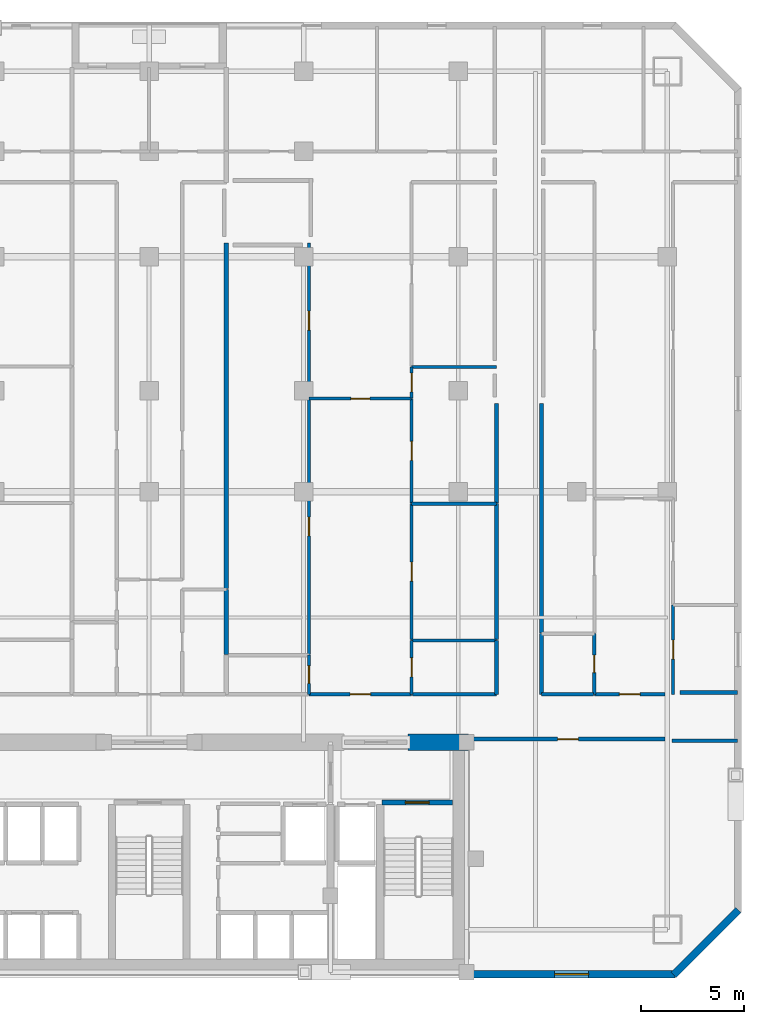
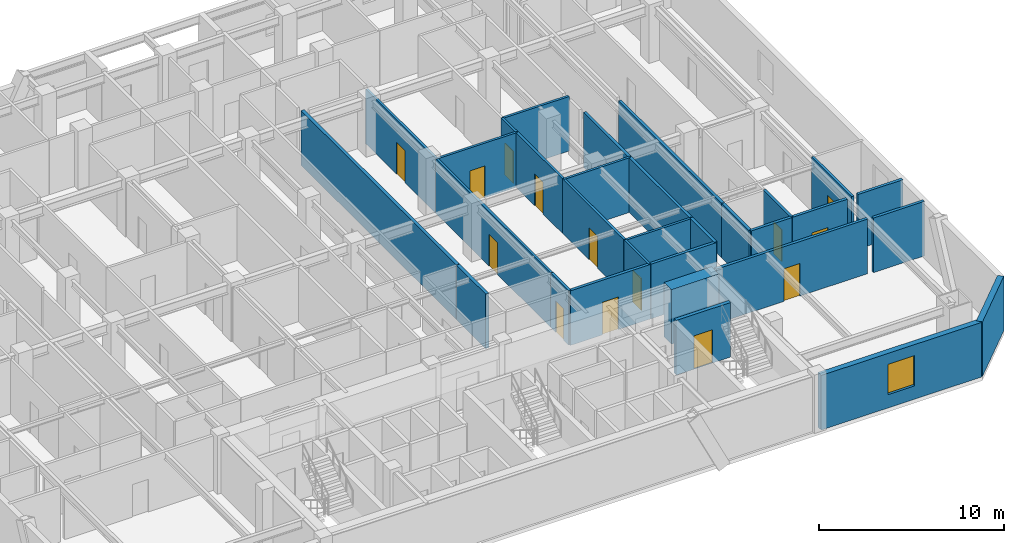
# One storey, part 6 of 10: 31 walls, 14 doors, 1 window, 15 openings.
"""IFC4 building model written with IfcOpenShell, lengths in metres."""

from ifc_helpers import new_model, si_unit, direction, frame, frame_2d, origin, place, context, subcontext, project, spatial, rectangle, extrude, material, layer, layer_set, type_object, element, fill, save


model = new_model("IFC4")

# Units and contexts
model_context = context("Model", 3, precision=1e-05, world=origin(), true_north=direction((0.0, 1.0)))
body_context = subcontext(model_context, "Body", "Model", "MODEL_VIEW")
ifc_project = project(units=[si_unit("LENGTHUNIT", "METRE"), si_unit("AREAUNIT", "SQUARE_METRE"), si_unit("VOLUMEUNIT", "CUBIC_METRE"), si_unit("PLANEANGLEUNIT", "RADIAN"), si_unit("MASSUNIT", "GRAM", prefix="KILO")], contexts=[model_context])

# Site, building, storey
site_placement = place(None, origin())
site = spatial("IfcSite", under=ifc_project, at=site_placement, CompositionType="ELEMENT")
building_placement = place(site_placement, origin())
building = spatial("IfcBuilding", under=site, at=building_placement, Name="Ventersveld Concourse Tower", CompositionType="ELEMENT")
storey_placement = place(building_placement, frame((0.0, 0.0, 41.35009765625)))
storey = spatial("IfcBuildingStorey", under=building, at=storey_placement, Name="L09", CompositionType="ELEMENT", Elevation=41.35009765625)

# Wall
ifc_material_1 = material(Name="Concrete C60/75", Category="concrete")
ifc_layer_1 = layer(ifc_material_1, 0.800048828125)
ifc_layer_set_1 = layer_set([ifc_layer_1], Name="Concrete C60/75")
wall_type_1 = type_object("IfcWallType", Name="WL-CORE-800", PredefinedType="SHEAR", material=ifc_layer_set_1)
wall_1_placement = place(storey_placement, frame((41.300048828125, 11.449951171875, 0.0), z_axis=(0.0, 0.0, 1.0), x_axis=(1.0, 0.0, 0.0)))
element("IfcWall", 1, at=wall_1_placement, inside=storey, type_object=wall_type_1, Name="L09 Rear Core North Shear Wall NE", PredefinedType="SHEAR", context=body_context, shape_type="SweptSolid", body=[
    extrude(rectangle(XDim=2.949951171875, YDim=0.800048828125, at=frame_2d((1.47509765625, 0.0))), origin(), (0.0, 0.0, 1.0), 3.599853515625),
])

# Wall, opening, door
ifc_material_2 = material(Name="Fire-rated autoclaved aerated masonry blockwork", Category="masonry")
ifc_layer_2 = layer(ifc_material_2, 0.179931640625)
ifc_layer_set_2 = layer_set([ifc_layer_2], Name="Fire-rated autoclaved aerated masonry blockwork")
wall_type_2 = type_object("IfcWallType", Name="WL-CORR-180", PredefinedType="PARTITIONING", material=ifc_layer_set_2)
wall_2_placement = place(storey_placement, frame((44.35498046875, 11.60009765625, 0.0), z_axis=(0.0, 0.0, 1.0), x_axis=(1.0, 0.0, 0.0)))
wall_2 = element("IfcWall", 2, at=wall_2_placement, inside=storey, type_object=wall_type_2, Name="L09 Interior Partition SP-L09-SE-OFF-SP-L09-COR", PredefinedType="PARTITIONING", context=body_context, shape_type="SweptSolid", body=[
    extrude(rectangle(XDim=9.43994140625, YDim=0.179931640625, at=frame_2d((4.719970703125, 0.0))), origin(), (0.0, 0.0, 1.0), 3.599853515625),
])
opening_1_placement = place(wall_2_placement, frame((4.219970703125, 0.0, 0.0)))
opening_1 = element("IfcOpeningElement", 3, at=opening_1_placement, cuts=wall_2, Name="Opening FD3", PredefinedType="OPENING", context=body_context, shape_type="SweptSolid", body=[
    extrude(rectangle(XDim=1.0, YDim=2.14990234375, at=frame_2d((0.5, 1.074951171875))), frame((0.0, 0.10009765625, 0.0), z_axis=(0.0, -1.0, 0.0), x_axis=(1.0, 0.0, 0.0)), (0.0, 0.0, 1.0), 0.199951171875),
])
ifc_material_3 = material(Name="Solid-core hardwood veneer timber", Category="wood")
door_type_1 = type_object("IfcDoorType", Name="DR-FLAT-100", OperationType="NOTDEFINED", PredefinedType="DOOR", material=ifc_material_3)
door_1_placement = place(opening_1_placement, origin())
door_1 = element("IfcDoor", 4, at=door_1_placement, inside=storey, type_object=door_type_1, Name="L09 Interior Door SP-L09-SE-OFF to SP-L09-COR (D-L09-0307)", OperationType="SINGLE_SWING_LEFT", OverallHeight=2.14990234375, OverallWidth=1.0, PredefinedType="DOOR", context=body_context, shape_type="SweptSolid", body=[
    extrude(rectangle(XDim=1.0, YDim=2.14990234375, at=frame_2d((0.5, 1.074951171875))), frame((0.0, 0.02490234375, 0.0), z_axis=(0.0, -1.0, 0.0), x_axis=(1.0, 0.0, 0.0)), (0.0, 0.0, 1.0), 0.050048828125),
])
fill(opening_1, door_1)

wall_3_placement = place(storey_placement, frame((50.35009765625, 13.77001953125, 0.0), z_axis=(0.0, 0.0, 1.0), x_axis=(1.0, 0.0, 0.0)))
wall_3 = element("IfcWall", 5, at=wall_3_placement, inside=storey, type_object=wall_type_2, Name="L09 Interior Partition SP-L09-COR-SP-L09-09NE-FOY", PredefinedType="PARTITIONING", context=body_context, shape_type="SweptSolid", body=[
    extrude(rectangle(XDim=3.44482421875, YDim=0.179931640625, at=frame_2d((1.722412109375, 0.0))), origin(), (0.0, 0.0, 1.0), 3.599853515625),
])
opening_2_placement = place(wall_3_placement, frame((1.222412109375, 0.0, 0.0)))
opening_2 = element("IfcOpeningElement", 6, at=opening_2_placement, cuts=wall_3, Name="Opening FD3", PredefinedType="OPENING", context=body_context, shape_type="SweptSolid", body=[
    extrude(rectangle(XDim=1.0, YDim=2.14990234375, at=frame_2d((0.5, 1.074951171875))), frame((0.0, 0.10009765625, 0.0), z_axis=(0.0, -1.0, 0.0), x_axis=(1.0, 0.0, 0.0)), (0.0, 0.0, 1.0), 0.199951171875),
])
door_2_placement = place(opening_2_placement, origin())
door_2 = element("IfcDoor", 7, at=door_2_placement, inside=storey, type_object=door_type_1, Name="L09 Interior Door SP-L09-COR to SP-L09-09NE-FOY (FD-L09-0309)", OperationType="SINGLE_SWING_LEFT", OverallHeight=2.14990234375, OverallWidth=1.0, PredefinedType="DOOR", context=body_context, shape_type="SweptSolid", body=[
    extrude(rectangle(XDim=1.0, YDim=2.14990234375, at=frame_2d((0.5, 1.074951171875))), frame((0.0, 0.02490234375, 0.0), z_axis=(0.0, -1.0, 0.0), x_axis=(1.0, 0.0, 0.0)), (0.0, 0.0, 1.0), 0.050048828125),
])
fill(opening_2, door_2)

# Walls
wall_4_placement = place(storey_placement, frame((47.7900390625, 13.764892578125, 0.0), z_axis=(0.0, 0.0, 1.0), x_axis=(0.0, 1.0, 0.0)))
element("IfcWall", 8, at=wall_4_placement, inside=storey, type_object=wall_type_2, Name="L09 Interior Partition SP-L09-COR-SP-L09-09NE-BATH", PredefinedType="PARTITIONING", context=body_context, shape_type="SweptSolid", body=[
    extrude(rectangle(XDim=2.957275390625, YDim=0.179931640625, at=frame_2d((1.478515625, 0.0))), origin(), (0.0, 0.0, 1.0), 3.599853515625),
])
wall_5_placement = place(storey_placement, frame((47.784912109375, 13.77001953125, 0.0), z_axis=(0.0, 0.0, 1.0), x_axis=(1.0, 0.0, 0.0)))
element("IfcWall", 9, at=wall_5_placement, inside=storey, type_object=wall_type_2, Name="L09 Interior Partition SP-L09-COR-SP-L09-09NE-BATH", PredefinedType="PARTITIONING", context=body_context, shape_type="SweptSolid", body=[
    extrude(rectangle(XDim=2.535400390625, YDim=0.179931640625, at=frame_2d((1.267578125, 0.0))), origin(), (0.0, 0.0, 1.0), 3.599853515625),
])
wall_6_placement = place(storey_placement, frame((47.7900390625, 16.752197265625, 0.0), z_axis=(0.0, 0.0, 1.0), x_axis=(0.0, 1.0, 0.0)))
element("IfcWall", 10, at=wall_6_placement, inside=storey, type_object=wall_type_2, Name="L09 Interior Partition SP-L09-COR-SP-L09-09NE-MEDL0", PredefinedType="PARTITIONING", context=body_context, shape_type="SweptSolid", body=[
    extrude(rectangle(XDim=11.142822265625, YDim=0.179931640625, at=frame_2d((5.5712890625, 0.0))), origin(), (0.0, 0.0, 1.0), 3.599853515625),
])

# Wall, opening, door
wall_7_placement = place(storey_placement, frame((36.501220703125, 13.77001953125, 0.0), z_axis=(0.0, 0.0, 1.0), x_axis=(1.0, 0.0, 0.0)))
wall_7 = element("IfcWall", 11, at=wall_7_placement, inside=storey, type_object=wall_type_2, Name="L09 Interior Partition SP-L09-COR-SP-L09-09CE-FOY", PredefinedType="PARTITIONING", context=body_context, shape_type="SweptSolid", body=[
    extrude(rectangle(XDim=4.989990234375, YDim=0.179931640625, at=frame_2d((2.4951171875, 0.0))), origin(), (0.0, 0.0, 1.0), 3.599853515625),
])
opening_3_placement = place(wall_7_placement, frame((1.9951171875, 0.0, 0.0)))
opening_3 = element("IfcOpeningElement", 12, at=opening_3_placement, cuts=wall_7, Name="Opening FD3", PredefinedType="OPENING", context=body_context, shape_type="SweptSolid", body=[
    extrude(rectangle(XDim=1.0, YDim=2.14990234375, at=frame_2d((0.5, 1.074951171875))), frame((0.0, 0.10009765625, 0.0), z_axis=(0.0, -1.0, 0.0), x_axis=(1.0, 0.0, 0.0)), (0.0, 0.0, 1.0), 0.199951171875),
])
door_3_placement = place(opening_3_placement, origin())
door_3 = element("IfcDoor", 13, at=door_3_placement, inside=storey, type_object=door_type_1, Name="L09 Interior Door SP-L09-COR to SP-L09-09CE-FOY (FD-L09-0311)", OperationType="SINGLE_SWING_LEFT", OverallHeight=2.14990234375, OverallWidth=1.0, PredefinedType="DOOR", context=body_context, shape_type="SweptSolid", body=[
    extrude(rectangle(XDim=1.0, YDim=2.14990234375, at=frame_2d((0.5, 1.074951171875))), frame((0.0, 0.02490234375, 0.0), z_axis=(0.0, -1.0, 0.0), x_axis=(1.0, 0.0, 0.0)), (0.0, 0.0, 1.0), 0.050048828125),
])
fill(opening_3, door_3)

# Walls
wall_8_placement = place(storey_placement, frame((41.521240234375, 13.77001953125, 0.0), z_axis=(0.0, 0.0, 1.0), x_axis=(1.0, 0.0, 0.0)))
element("IfcWall", 14, at=wall_8_placement, inside=storey, type_object=wall_type_2, Name="L09 Interior Partition SP-L09-COR-SP-L09-09CE-KIT", PredefinedType="PARTITIONING", context=body_context, shape_type="SweptSolid", body=[
    extrude(rectangle(XDim=4.09375, YDim=0.179931640625, at=frame_2d((2.046875, 0.0))), origin(), (0.0, 0.0, 1.0), 3.599853515625),
])
wall_9_placement = place(storey_placement, frame((45.610107421875, 13.764892578125, 0.0), z_axis=(0.0, 0.0, 1.0), x_axis=(0.0, 1.0, 0.0)))
element("IfcWall", 15, at=wall_9_placement, inside=storey, type_object=wall_type_2, Name="L09 Interior Partition SP-L09-COR-SP-L09-09CE-KIT", PredefinedType="PARTITIONING", context=body_context, shape_type="SweptSolid", body=[
    extrude(rectangle(XDim=2.624267578125, YDim=0.179931640625, at=frame_2d((1.31201171875, 0.0))), origin(), (0.0, 0.0, 1.0), 3.599853515625),
])
wall_10_placement = place(storey_placement, frame((45.610107421875, 16.419189453125, 0.0), z_axis=(0.0, 0.0, 1.0), x_axis=(0.0, 1.0, 0.0)))
element("IfcWall", 16, at=wall_10_placement, inside=storey, type_object=wall_type_2, Name="L09 Interior Partition SP-L09-COR-SP-L09-09CE-DENR", PredefinedType="PARTITIONING", context=body_context, shape_type="SweptSolid", body=[
    extrude(rectangle(XDim=6.60302734375, YDim=0.179931640625, at=frame_2d((3.301513671875, 0.0))), origin(), (0.0, 0.0, 1.0), 3.599853515625),
])
wall_11_placement = place(storey_placement, frame((45.610107421875, 23.052001953125, 0.0), z_axis=(0.0, 0.0, 1.0), x_axis=(0.0, 1.0, 0.0)))
element("IfcWall", 17, at=wall_11_placement, inside=storey, type_object=wall_type_2, Name="L09 Interior Partition SP-L09-COR-SP-L09-09CE-DENS", PredefinedType="PARTITIONING", context=body_context, shape_type="SweptSolid", body=[
    extrude(rectangle(XDim=4.843017578125, YDim=0.179931640625, at=frame_2d((2.42138671875, 0.0))), origin(), (0.0, 0.0, 1.0), 3.599853515625),
])
wall_12_placement = place(storey_placement, frame((54.1123046875, 11.52001953125, 0.0), z_axis=(0.0, 0.0, 1.0), x_axis=(1.0, 0.0, 0.0)))
element("IfcWall", 18, at=wall_12_placement, inside=storey, type_object=wall_type_2, Name="L09 Room Enclosure Wall SP-L09-SE-OFF", PredefinedType="PARTITIONING", context=body_context, shape_type="SweptSolid", body=[
    extrude(rectangle(XDim=3.177734375, YDim=0.179931640625, at=frame_2d((1.5888671875, 0.0))), origin(), (0.0, 0.0, 1.0), 3.599853515625),
])
wall_13_placement = place(storey_placement, frame((57.2900390625, 13.860107421875, 0.0), z_axis=(0.0, 0.0, 1.0), x_axis=(-1.0, 0.0, 0.0)))
element("IfcWall", 19, at=wall_13_placement, inside=storey, type_object=wall_type_2, Name="L09 Room Enclosure Wall SP-L09-09NE-KIT", PredefinedType="PARTITIONING", context=body_context, shape_type="SweptSolid", body=[
    extrude(rectangle(XDim=2.787841796875, YDim=0.179931640625, at=frame_2d((1.39404296875, 0.0))), origin(), (0.0, 0.0, 1.0), 3.599853515625),
])
ifc_layer_3 = layer(ifc_material_2, 0.199951171875)
ifc_layer_set_3 = layer_set([ifc_layer_3], Name="Fire-rated autoclaved aerated masonry blockwork")
wall_type_3 = type_object("IfcWallType", Name="WL-DEMISE-200", PredefinedType="PARTITIONING", material=ifc_layer_set_3)
wall_14_placement = place(storey_placement, frame((32.489990234375, 15.70556640625, 0.0), z_axis=(0.0, 0.0, 1.0), x_axis=(0.0, 1.0, 0.0)))
element("IfcWall", 20, at=wall_14_placement, inside=storey, type_object=wall_type_3, Name="L09 Interior Partition SP-L09-09CE-DENL-SP-L09-09CM-KIT", PredefinedType="PARTITIONING", context=body_context, shape_type="SweptSolid", body=[
    extrude(rectangle(XDim=3.157958984375, YDim=0.199951171875, at=frame_2d((1.5791015625, 0.0))), origin(), (0.0, 0.0, 1.0), 3.599853515625),
])
wall_15_placement = place(storey_placement, frame((32.489990234375, 18.8935546875, 0.0), z_axis=(0.0, 0.0, 1.0), x_axis=(0.0, 1.0, 0.0)))
element("IfcWall", 21, at=wall_15_placement, inside=storey, type_object=wall_type_3, Name="L09 Interior Partition SP-L09-09CE-DENL-SP-L09-09CM-DENR", PredefinedType="PARTITIONING", context=body_context, shape_type="SweptSolid", body=[
    extrude(rectangle(XDim=16.773193359375, YDim=0.199951171875, at=frame_2d((8.38671875, 0.0))), origin(), (0.0, 0.0, 1.0), 3.599853515625),
])

# Wall, opening, door
ifc_layer_4 = layer(ifc_material_2, 0.219970703125)
ifc_layer_set_4 = layer_set([ifc_layer_4], Name="Fire-rated autoclaved aerated masonry blockwork")
wall_type_4 = type_object("IfcWallType", Name="WL-HOIST-220", PredefinedType="SOLIDWALL", material=ifc_layer_set_4)
wall_16_placement = place(storey_placement, frame((40.06005859375, 8.52001953125, 0.0), z_axis=(0.0, 0.0, 1.0), x_axis=(1.0, 0.0, 0.0)))
wall_16 = element("IfcWall", 22, at=wall_16_placement, inside=storey, type_object=wall_type_4, Name="L09 Escape Stair ST02 Fire Wall", PredefinedType="SOLIDWALL", context=body_context, shape_type="SweptSolid", body=[
    extrude(rectangle(XDim=3.39990234375, YDim=0.219970703125, at=frame_2d((1.699951171875, 0.0))), origin(), (0.0, 0.0, 1.0), 3.599853515625),
])
opening_4_placement = place(wall_16_placement, frame((1.125, 0.0, 0.0)))
opening_4 = element("IfcOpeningElement", 23, at=opening_4_placement, cuts=wall_16, Name="Opening FD1", PredefinedType="OPENING", context=body_context, shape_type="SweptSolid", body=[
    extrude(rectangle(XDim=1.14990234375, YDim=2.199951171875, at=frame_2d((0.574951171875, 1.10009765625))), frame((0.0, 0.1201171875, 0.0), z_axis=(0.0, -1.0, 0.0), x_axis=(1.0, 0.0, 0.0)), (0.0, 0.0, 1.0), 0.239990234375),
])
ifc_material_4 = material(Name="Galvanised painted steel", Category="steel")
door_type_2 = type_object("IfcDoorType", Name="DR-STAIR-115", OperationType="NOTDEFINED", PredefinedType="DOOR", material=ifc_material_4)
door_4_placement = place(opening_4_placement, origin())
door_4 = element("IfcDoor", 24, at=door_4_placement, inside=storey, type_object=door_type_2, Name="L09 Escape Stair Door ST02 (SD-L09-0296)", OperationType="SINGLE_SWING_RIGHT", OverallHeight=2.199951171875, OverallWidth=1.14990234375, PredefinedType="DOOR", context=body_context, shape_type="SweptSolid", body=[
    extrude(rectangle(XDim=1.14990234375, YDim=2.199951171875, at=frame_2d((0.574951171875, 1.10009765625))), frame((0.0, 0.02490234375, 0.0), z_axis=(0.0, -1.0, 0.0), x_axis=(1.0, 0.0, 0.0)), (0.0, 0.0, 1.0), 0.050048828125),
])
fill(opening_4, door_4)

ifc_material_5 = material(Name="Autoclaved aerated masonry blockwork", Category="masonry")
ifc_layer_5 = layer(ifc_material_5, 0.14990234375)
ifc_layer_set_5 = layer_set([ifc_layer_5], Name="Autoclaved aerated masonry blockwork")
wall_type_5 = type_object("IfcWallType", Name="WL-INT-150", PredefinedType="PARTITIONING", material=ifc_layer_set_5)
wall_17_placement = place(storey_placement, frame((54.17724609375, 13.764892578125, 0.0), z_axis=(0.0, 0.0, 1.0), x_axis=(0.0, 1.0, 0.0)))
wall_17 = element("IfcWall", 25, at=wall_17_placement, inside=storey, type_object=wall_type_5, Name="L09 Interior Partition SP-L09-09NE-FOY-SP-L09-09NE-KIT", PredefinedType="PARTITIONING", context=body_context, shape_type="SweptSolid", body=[
    extrude(rectangle(XDim=4.3408203125, YDim=0.14990234375, at=frame_2d((2.17041015625, 0.0))), origin(), (0.0, 0.0, 1.0), 3.599853515625),
])
opening_5_placement = place(wall_17_placement, frame((1.71044921875, 0.0, 0.0)))
opening_5 = element("IfcOpeningElement", 26, at=opening_5_placement, cuts=wall_17, Name="Opening ID1", PredefinedType="OPENING", context=body_context, shape_type="SweptSolid", body=[
    extrude(rectangle(XDim=0.919921875, YDim=2.10009765625, at=frame_2d((0.4599609375, 1.050048828125))), frame((0.0, 0.0849609375, 0.0), z_axis=(0.0, -1.0, 0.0), x_axis=(1.0, 0.0, 0.0)), (0.0, 0.0, 1.0), 0.169921875),
])
door_type_3 = type_object("IfcDoorType", Name="DR-ROOM-092", OperationType="NOTDEFINED", PredefinedType="DOOR", material=ifc_material_3)
door_5_placement = place(opening_5_placement, origin())
door_5 = element("IfcDoor", 27, at=door_5_placement, inside=storey, type_object=door_type_3, Name="L09 Interior Door SP-L09-09NE-FOY to SP-L09-09NE-KIT (D-L09-0326)", OperationType="SINGLE_SWING_RIGHT", OverallHeight=2.10009765625, OverallWidth=0.919921875, PredefinedType="DOOR", context=body_context, shape_type="SweptSolid", body=[
    extrude(rectangle(XDim=0.919921875, YDim=2.10009765625, at=frame_2d((0.4599609375, 1.050048828125))), frame((0.0, 0.02490234375, 0.0), z_axis=(0.0, -1.0, 0.0), x_axis=(1.0, 0.0, 0.0)), (0.0, 0.0, 1.0), 0.050048828125),
])
fill(opening_5, door_5)

wall_18_placement = place(storey_placement, frame((36.501220703125, 28.11669921875, 0.0), z_axis=(0.0, 0.0, 1.0), x_axis=(1.0, 0.0, 0.0)))
wall_18 = element("IfcWall", 28, at=wall_18_placement, inside=storey, type_object=wall_type_5, Name="L09 Interior Partition SP-L09-09CE-FOY-SP-L09-09CE-LIV", PredefinedType="PARTITIONING", context=body_context, shape_type="SweptSolid", body=[
    extrude(rectangle(XDim=4.989990234375, YDim=0.14990234375, at=frame_2d((2.4951171875, 0.0))), origin(), (0.0, 0.0, 1.0), 3.599853515625),
])
opening_6_placement = place(wall_18_placement, frame((2.034912109375, 0.0, 0.0)))
opening_6 = element("IfcOpeningElement", 29, at=opening_6_placement, cuts=wall_18, Name="Opening ID1", PredefinedType="OPENING", context=body_context, shape_type="SweptSolid", body=[
    extrude(rectangle(XDim=0.919921875, YDim=2.10009765625, at=frame_2d((0.4599609375, 1.050048828125))), frame((0.0, 0.0849609375, 0.0), z_axis=(0.0, -1.0, 0.0), x_axis=(1.0, 0.0, 0.0)), (0.0, 0.0, 1.0), 0.169921875),
])
door_6_placement = place(opening_6_placement, origin())
door_6 = element("IfcDoor", 30, at=door_6_placement, inside=storey, type_object=door_type_3, Name="L09 Interior Door SP-L09-09CE-FOY to SP-L09-09CE-LIV (D-L09-0343)", OperationType="SINGLE_SWING_LEFT", OverallHeight=2.10009765625, OverallWidth=0.919921875, PredefinedType="DOOR", context=body_context, shape_type="SweptSolid", body=[
    extrude(rectangle(XDim=0.919921875, YDim=2.10009765625, at=frame_2d((0.4599609375, 1.050048828125))), frame((0.0, 0.02490234375, 0.0), z_axis=(0.0, -1.0, 0.0), x_axis=(1.0, 0.0, 0.0)), (0.0, 0.0, 1.0), 0.050048828125),
])
fill(opening_6, door_6)

wall_19_placement = place(storey_placement, frame((36.506103515625, 15.70556640625, 0.0), z_axis=(0.0, 0.0, 1.0), x_axis=(0.0, 1.0, 0.0)))
wall_19 = element("IfcWall", 31, at=wall_19_placement, inside=storey, type_object=wall_type_5, Name="L09 Interior Partition SP-L09-09CE-FOY-SP-L09-09CE-DENL", PredefinedType="PARTITIONING", context=body_context, shape_type="SweptSolid", body=[
    extrude(rectangle(XDim=12.416015625, YDim=0.14990234375, at=frame_2d((6.2080078125, 0.0))), origin(), (0.0, 0.0, 1.0), 3.599853515625),
])
opening_7_placement = place(wall_19_placement, frame((5.748046875, 0.0, 0.0)))
opening_7 = element("IfcOpeningElement", 32, at=opening_7_placement, cuts=wall_19, Name="Opening ID1", PredefinedType="OPENING", context=body_context, shape_type="SweptSolid", body=[
    extrude(rectangle(XDim=0.919921875, YDim=2.10009765625, at=frame_2d((0.4599609375, 1.050048828125))), frame((0.0, 0.0849609375, 0.0), z_axis=(0.0, -1.0, 0.0), x_axis=(1.0, 0.0, 0.0)), (0.0, 0.0, 1.0), 0.169921875),
])
door_7_placement = place(opening_7_placement, origin())
door_7 = element("IfcDoor", 33, at=door_7_placement, inside=storey, type_object=door_type_3, Name="L09 Interior Door SP-L09-09CE-FOY to SP-L09-09CE-DENL (D-L09-0345)", OperationType="SINGLE_SWING_LEFT", OverallHeight=2.10009765625, OverallWidth=0.919921875, PredefinedType="DOOR", context=body_context, shape_type="SweptSolid", body=[
    extrude(rectangle(XDim=0.919921875, YDim=2.10009765625, at=frame_2d((0.4599609375, 1.050048828125))), frame((0.0, 0.02490234375, 0.0), z_axis=(0.0, -1.0, 0.0), x_axis=(1.0, 0.0, 0.0)), (0.0, 0.0, 1.0), 0.050048828125),
])
fill(opening_7, door_7)

wall_20_placement = place(storey_placement, frame((41.486083984375, 13.764892578125, 0.0), z_axis=(0.0, 0.0, 1.0), x_axis=(0.0, 1.0, 0.0)))
wall_20 = element("IfcWall", 34, at=wall_20_placement, inside=storey, type_object=wall_type_5, Name="L09 Interior Partition SP-L09-09CE-FOY-SP-L09-09CE-KIT", PredefinedType="PARTITIONING", context=body_context, shape_type="SweptSolid", body=[
    extrude(rectangle(XDim=2.624267578125, YDim=0.14990234375, at=frame_2d((1.31201171875, 0.0))), origin(), (0.0, 0.0, 1.0), 3.599853515625),
])
opening_8_placement = place(wall_20_placement, frame((0.85205078125, 0.0, 0.0)))
opening_8 = element("IfcOpeningElement", 35, at=opening_8_placement, cuts=wall_20, Name="Opening ID1", PredefinedType="OPENING", context=body_context, shape_type="SweptSolid", body=[
    extrude(rectangle(XDim=0.919921875, YDim=2.10009765625, at=frame_2d((0.4599609375, 1.050048828125))), frame((0.0, 0.0849609375, 0.0), z_axis=(0.0, -1.0, 0.0), x_axis=(1.0, 0.0, 0.0)), (0.0, 0.0, 1.0), 0.169921875),
])
door_8_placement = place(opening_8_placement, origin())
door_8 = element("IfcDoor", 36, at=door_8_placement, inside=storey, type_object=door_type_3, Name="L09 Interior Door SP-L09-09CE-FOY to SP-L09-09CE-KIT (D-L09-0346)", OperationType="SINGLE_SWING_RIGHT", OverallHeight=2.10009765625, OverallWidth=0.919921875, PredefinedType="DOOR", context=body_context, shape_type="SweptSolid", body=[
    extrude(rectangle(XDim=0.919921875, YDim=2.10009765625, at=frame_2d((0.4599609375, 1.050048828125))), frame((0.0, 0.02490234375, 0.0), z_axis=(0.0, -1.0, 0.0), x_axis=(1.0, 0.0, 0.0)), (0.0, 0.0, 1.0), 0.050048828125),
])
fill(opening_8, door_8)

wall_21_placement = place(storey_placement, frame((41.486083984375, 16.419189453125, 0.0), z_axis=(0.0, 0.0, 1.0), x_axis=(0.0, 1.0, 0.0)))
wall_21 = element("IfcWall", 37, at=wall_21_placement, inside=storey, type_object=wall_type_5, Name="L09 Interior Partition SP-L09-09CE-FOY-SP-L09-09CE-DENR", PredefinedType="PARTITIONING", context=body_context, shape_type="SweptSolid", body=[
    extrude(rectangle(XDim=6.60302734375, YDim=0.14990234375, at=frame_2d((3.301513671875, 0.0))), origin(), (0.0, 0.0, 1.0), 3.599853515625),
])
opening_9_placement = place(wall_21_placement, frame((2.84130859375, 0.0, 0.0)))
opening_9 = element("IfcOpeningElement", 38, at=opening_9_placement, cuts=wall_21, Name="Opening ID1", PredefinedType="OPENING", context=body_context, shape_type="SweptSolid", body=[
    extrude(rectangle(XDim=0.919921875, YDim=2.10009765625, at=frame_2d((0.4599609375, 1.050048828125))), frame((0.0, 0.0849609375, 0.0), z_axis=(0.0, -1.0, 0.0), x_axis=(1.0, 0.0, 0.0)), (0.0, 0.0, 1.0), 0.169921875),
])
door_9_placement = place(opening_9_placement, origin())
door_9 = element("IfcDoor", 39, at=door_9_placement, inside=storey, type_object=door_type_3, Name="L09 Interior Door SP-L09-09CE-FOY to SP-L09-09CE-DENR (D-L09-0347)", OperationType="SINGLE_SWING_LEFT", OverallHeight=2.10009765625, OverallWidth=0.919921875, PredefinedType="DOOR", context=body_context, shape_type="SweptSolid", body=[
    extrude(rectangle(XDim=0.919921875, YDim=2.10009765625, at=frame_2d((0.4599609375, 1.050048828125))), frame((0.0, 0.02490234375, 0.0), z_axis=(0.0, -1.0, 0.0), x_axis=(1.0, 0.0, 0.0)), (0.0, 0.0, 1.0), 0.050048828125),
])
fill(opening_9, door_9)

wall_22_placement = place(storey_placement, frame((41.486083984375, 23.052001953125, 0.0), z_axis=(0.0, 0.0, 1.0), x_axis=(0.0, 1.0, 0.0)))
wall_22 = element("IfcWall", 40, at=wall_22_placement, inside=storey, type_object=wall_type_5, Name="L09 Interior Partition SP-L09-09CE-FOY-SP-L09-09CE-DENS", PredefinedType="PARTITIONING", context=body_context, shape_type="SweptSolid", body=[
    extrude(rectangle(XDim=5.069580078125, YDim=0.14990234375, at=frame_2d((2.53466796875, 0.0))), origin(), (0.0, 0.0, 1.0), 3.599853515625),
])
opening_10_placement = place(wall_22_placement, frame((2.07470703125, 0.0, 0.0)))
opening_10 = element("IfcOpeningElement", 41, at=opening_10_placement, cuts=wall_22, Name="Opening ID1", PredefinedType="OPENING", context=body_context, shape_type="SweptSolid", body=[
    extrude(rectangle(XDim=0.919921875, YDim=2.10009765625, at=frame_2d((0.4599609375, 1.050048828125))), frame((0.0, 0.0849609375, 0.0), z_axis=(0.0, -1.0, 0.0), x_axis=(1.0, 0.0, 0.0)), (0.0, 0.0, 1.0), 0.169921875),
])
door_10_placement = place(opening_10_placement, origin())
door_10 = element("IfcDoor", 42, at=door_10_placement, inside=storey, type_object=door_type_3, Name="L09 Interior Door SP-L09-09CE-FOY to SP-L09-09CE-DENS (D-L09-0348)", OperationType="SINGLE_SWING_RIGHT", OverallHeight=2.10009765625, OverallWidth=0.919921875, PredefinedType="DOOR", context=body_context, shape_type="SweptSolid", body=[
    extrude(rectangle(XDim=0.919921875, YDim=2.10009765625, at=frame_2d((0.4599609375, 1.050048828125))), frame((0.0, 0.02490234375, 0.0), z_axis=(0.0, -1.0, 0.0), x_axis=(1.0, 0.0, 0.0)), (0.0, 0.0, 1.0), 0.050048828125),
])
fill(opening_10, door_10)

wall_23_placement = place(storey_placement, frame((36.506103515625, 28.151611328125, 0.0), z_axis=(0.0, 0.0, 1.0), x_axis=(0.0, 1.0, 0.0)))
wall_23 = element("IfcWall", 43, at=wall_23_placement, inside=storey, type_object=wall_type_5, Name="L09 Interior Partition SP-L09-09CE-LIV-SP-L09-09CE-DENL", PredefinedType="PARTITIONING", context=body_context, shape_type="SweptSolid", body=[
    extrude(rectangle(XDim=7.51513671875, YDim=0.14990234375, at=frame_2d((3.757568359375, 0.0))), origin(), (0.0, 0.0, 1.0), 3.599853515625),
])
opening_11_placement = place(wall_23_placement, frame((3.297607421875, 0.0, 0.0)))
opening_11 = element("IfcOpeningElement", 44, at=opening_11_placement, cuts=wall_23, Name="Opening ID1", PredefinedType="OPENING", context=body_context, shape_type="SweptSolid", body=[
    extrude(rectangle(XDim=0.919921875, YDim=2.10009765625, at=frame_2d((0.4599609375, 1.050048828125))), frame((0.0, 0.0849609375, 0.0), z_axis=(0.0, -1.0, 0.0), x_axis=(1.0, 0.0, 0.0)), (0.0, 0.0, 1.0), 0.169921875),
])
door_11_placement = place(opening_11_placement, origin())
door_11 = element("IfcDoor", 45, at=door_11_placement, inside=storey, type_object=door_type_3, Name="L09 Interior Door SP-L09-09CE-LIV to SP-L09-09CE-DENL (D-L09-0349)", OperationType="SINGLE_SWING_LEFT", OverallHeight=2.10009765625, OverallWidth=0.919921875, PredefinedType="DOOR", context=body_context, shape_type="SweptSolid", body=[
    extrude(rectangle(XDim=0.919921875, YDim=2.10009765625, at=frame_2d((0.4599609375, 1.050048828125))), frame((0.0, 0.02490234375, 0.0), z_axis=(0.0, -1.0, 0.0), x_axis=(1.0, 0.0, 0.0)), (0.0, 0.0, 1.0), 0.050048828125),
])
fill(opening_11, door_11)

wall_24_placement = place(storey_placement, frame((41.486083984375, 28.151611328125, 0.0), z_axis=(0.0, 0.0, 1.0), x_axis=(0.0, 1.0, 0.0)))
wall_24 = element("IfcWall", 46, at=wall_24_placement, inside=storey, type_object=wall_type_5, Name="L09 Interior Partition SP-L09-09CE-LIV-SP-L09-09CE-DENS", PredefinedType="PARTITIONING", context=body_context, shape_type="SweptSolid", body=[
    extrude(rectangle(XDim=1.50341796875, YDim=0.14990234375, at=frame_2d((0.751708984375, 0.0))), origin(), (0.0, 0.0, 1.0), 3.599853515625),
])
opening_12_placement = place(wall_24_placement, frame((0.29150390625, 0.0, 0.0)))
opening_12 = element("IfcOpeningElement", 47, at=opening_12_placement, cuts=wall_24, Name="Opening ID1", PredefinedType="OPENING", context=body_context, shape_type="SweptSolid", body=[
    extrude(rectangle(XDim=0.919921875, YDim=2.10009765625, at=frame_2d((0.4599609375, 1.050048828125))), frame((0.0, 0.0849609375, 0.0), z_axis=(0.0, -1.0, 0.0), x_axis=(1.0, 0.0, 0.0)), (0.0, 0.0, 1.0), 0.169921875),
])
door_12_placement = place(opening_12_placement, origin())
door_12 = element("IfcDoor", 48, at=door_12_placement, inside=storey, type_object=door_type_3, Name="L09 Interior Door SP-L09-09CE-LIV to SP-L09-09CE-DENS (D-L09-0350)", OperationType="SINGLE_SWING_RIGHT", OverallHeight=2.10009765625, OverallWidth=0.919921875, PredefinedType="DOOR", context=body_context, shape_type="SweptSolid", body=[
    extrude(rectangle(XDim=0.919921875, YDim=2.10009765625, at=frame_2d((0.4599609375, 1.050048828125))), frame((0.0, 0.02490234375, 0.0), z_axis=(0.0, -1.0, 0.0), x_axis=(1.0, 0.0, 0.0)), (0.0, 0.0, 1.0), 0.050048828125),
])
fill(opening_12, door_12)

# Walls
for number, where, z_axis, x_axis, name in (
    (49, (41.481201171875, 16.38427734375, 0.0), (0.0, 0.0, 1.0), (1.0, 0.0, 0.0), "L09 Interior Partition SP-L09-09CE-KIT-SP-L09-09CE-DENR"),
    (50, (41.481201171875, 23.01708984375, 0.0), (0.0, 0.0, 1.0), (1.0, 0.0, 0.0), "L09 Interior Partition SP-L09-09CE-DENR-SP-L09-09CE-DENS"),
    (51, (41.481201171875, 29.64990234375, 0.0), (0.0, 0.0, 1.0), (1.0, 0.0, 0.0), "L09 Interior Partition SP-L09-09CE-DENS-SP-L09-09CE-DENS2"),
):
    element("IfcWall", number, at=place(storey_placement, frame(where, z_axis=z_axis, x_axis=x_axis)), inside=storey, type_object=wall_type_5, Name=name, PredefinedType="PARTITIONING", context=body_context, shape_type="SweptSolid", body=[
        extrude(rectangle(XDim=4.1337890625, YDim=0.14990234375, at=frame_2d((2.06689453125, 0.0))), origin(), (0.0, 0.0, 1.0), 3.599853515625),
    ])

# Wall, opening, window
ifc_material_6 = material(Name="Precast concrete C45/55", Category="concrete")
ifc_layer_6 = layer(ifc_material_6, 0.35009765625)
ifc_layer_set_6 = layer_set([ifc_layer_6], Name="Precast concrete C45/55")
wall_type_6 = type_object("IfcWallType", Name="WL-PREC-350", PredefinedType="SOLIDWALL", material=ifc_layer_set_6)
wall_25_placement = place(storey_placement, frame((44.25, 0.179931640625, 0.0), z_axis=(0.0, 0.0, 1.0), x_axis=(1.0, 0.0, 0.0)))
wall_25 = element("IfcWall", 52, at=wall_25_placement, inside=storey, type_object=wall_type_6, Name="L09 South-East Flank Precast Wall", PredefinedType="SOLIDWALL", context=body_context, shape_type="SweptSolid", body=[
    extrude(rectangle(XDim=10.010009765625, YDim=0.35009765625, at=frame_2d((5.0048828125, 0.0))), origin(), (0.0, 0.0, 1.0), 3.599853515625),
])
opening_13_placement = place(wall_25_placement, frame((4.179931640625, 0.0, 0.8798828125)))
opening_13 = element("IfcOpeningElement", 53, at=opening_13_placement, cuts=wall_25, Name="Opening W6", PredefinedType="OPENING", context=body_context, shape_type="SweptSolid", body=[
    extrude(rectangle(XDim=1.64990234375, YDim=2.0, at=frame_2d((0.824951171875, 1.0))), frame((0.0, 0.18505859375, 0.0), z_axis=(0.0, -1.0, 0.0), x_axis=(1.0, 0.0, 0.0)), (0.0, 0.0, 1.0), 0.3701171875),
])
ifc_material_7 = material(Name="Tempered acoustic Low-E IGU", Category="glass")
window_type = type_object("IfcWindowType", Name="WIN-165x200", PartitioningType="SINGLE_PANEL", PredefinedType="WINDOW", material=ifc_material_7)
window_placement = place(opening_13_placement, origin())
window = element("IfcWindow", 54, at=window_placement, inside=storey, type_object=window_type, Name="L09 Punched Low-E Window W-0034", OverallHeight=2.0, OverallWidth=1.64990234375, PartitioningType="SINGLE_PANEL", PredefinedType="WINDOW", context=body_context, shape_type="SweptSolid", body=[
    extrude(rectangle(XDim=1.64990234375, YDim=2.0, at=frame_2d((0.824951171875, 1.0))), frame((0.0, 0.030029296875, 0.0), z_axis=(0.0, -1.0, 0.0), x_axis=(1.0, 0.0, 0.0)), (0.0, 0.0, 1.0), 0.06005859375),
])
fill(opening_13, window)

# Wall
wall_26_placement = place(storey_placement, frame((54.20458984375, 0.152099609375, 0.0), z_axis=(0.0, 0.0, 1.0), x_axis=(0.707106781187, 0.707106781187, 0.0)))
element("IfcWall", 55, at=wall_26_placement, inside=storey, type_object=wall_type_6, Name="L09 Highveld Precast Facade Wall E02", PredefinedType="SOLIDWALL", context=body_context, shape_type="SweptSolid", body=[
    extrude(rectangle(XDim=4.4453125, YDim=0.35009765625, at=frame_2d((2.22265625, 0.0))), origin(), (0.0, 0.0, 1.0), 3.599853515625),
])

# Wall, opening, door
ifc_layer_7 = layer(ifc_material_5, 0.1650390625)
ifc_layer_set_7 = layer_set([ifc_layer_7], Name="Autoclaved aerated masonry blockwork")
wall_type_7 = type_object("IfcWallType", Name="WL-WET-165", PredefinedType="PLUMBINGWALL", material=ifc_layer_set_7)
wall_27_placement = place(storey_placement, frame((50.355224609375, 13.764892578125, 0.0), z_axis=(0.0, 0.0, 1.0), x_axis=(0.0, 1.0, 0.0)))
wall_27 = element("IfcWall", 56, at=wall_27_placement, inside=storey, type_object=wall_type_7, Name="L09 Interior Partition SP-L09-09NE-FOY-SP-L09-09NE-BATH", PredefinedType="PLUMBINGWALL", context=body_context, shape_type="SweptSolid", body=[
    extrude(rectangle(XDim=2.957275390625, YDim=0.1650390625, at=frame_2d((1.478515625, 0.0))), origin(), (0.0, 0.0, 1.0), 3.599853515625),
])
opening_14_placement = place(wall_27_placement, frame((1.0537109375, 0.0, 0.0)))
opening_14 = element("IfcOpeningElement", 57, at=opening_14_placement, cuts=wall_27, Name="Opening ID2", PredefinedType="OPENING", context=body_context, shape_type="SweptSolid", body=[
    extrude(rectangle(XDim=0.85009765625, YDim=2.10009765625, at=frame_2d((0.425048828125, 1.050048828125))), frame((0.0, 0.092529296875, 0.0), z_axis=(0.0, -1.0, 0.0), x_axis=(1.0, 0.0, 0.0)), (0.0, 0.0, 1.0), 0.18505859375),
])
door_type_4 = type_object("IfcDoorType", Name="DR-BATH-085", OperationType="NOTDEFINED", PredefinedType="DOOR", material=ifc_material_3)
door_13_placement = place(opening_14_placement, origin())
door_13 = element("IfcDoor", 58, at=door_13_placement, inside=storey, type_object=door_type_4, Name="L09 Interior Door SP-L09-09NE-FOY to SP-L09-09NE-BATH (D-L09-0324)", OperationType="SINGLE_SWING_RIGHT", OverallHeight=2.10009765625, OverallWidth=0.85009765625, PredefinedType="DOOR", context=body_context, shape_type="SweptSolid", body=[
    extrude(rectangle(XDim=0.85009765625, YDim=2.10009765625, at=frame_2d((0.425048828125, 1.050048828125))), frame((0.0, 0.02490234375, 0.0), z_axis=(0.0, -1.0, 0.0), x_axis=(1.0, 0.0, 0.0)), (0.0, 0.0, 1.0), 0.050048828125),
])
fill(opening_14, door_13)

wall_28_placement = place(storey_placement, frame((36.506103515625, 13.764892578125, 0.0), z_axis=(0.0, 0.0, 1.0), x_axis=(0.0, 1.0, 0.0)))
wall_28 = element("IfcWall", 59, at=wall_28_placement, inside=storey, type_object=wall_type_7, Name="L09 Interior Partition SP-L09-09CE-FOY-SP-L09-09CE-BATH", PredefinedType="PLUMBINGWALL", context=body_context, shape_type="SweptSolid", body=[
    extrude(rectangle(XDim=1.91064453125, YDim=0.1650390625, at=frame_2d((0.955322265625, 0.0))), origin(), (0.0, 0.0, 1.0), 3.599853515625),
])
opening_15_placement = place(wall_28_placement, frame((0.5302734375, 0.0, 0.0)))
opening_15 = element("IfcOpeningElement", 60, at=opening_15_placement, cuts=wall_28, Name="Opening ID2", PredefinedType="OPENING", context=body_context, shape_type="SweptSolid", body=[
    extrude(rectangle(XDim=0.85009765625, YDim=2.10009765625, at=frame_2d((0.425048828125, 1.050048828125))), frame((0.0, 0.092529296875, 0.0), z_axis=(0.0, -1.0, 0.0), x_axis=(1.0, 0.0, 0.0)), (0.0, 0.0, 1.0), 0.18505859375),
])
door_14_placement = place(opening_15_placement, origin())
door_14 = element("IfcDoor", 61, at=door_14_placement, inside=storey, type_object=door_type_4, Name="L09 Interior Door SP-L09-09CE-FOY to SP-L09-09CE-BATH (D-L09-0344)", OperationType="SINGLE_SWING_RIGHT", OverallHeight=2.10009765625, OverallWidth=0.85009765625, PredefinedType="DOOR", context=body_context, shape_type="SweptSolid", body=[
    extrude(rectangle(XDim=0.85009765625, YDim=2.10009765625, at=frame_2d((0.425048828125, 1.050048828125))), frame((0.0, 0.02490234375, 0.0), z_axis=(0.0, -1.0, 0.0), x_axis=(1.0, 0.0, 0.0)), (0.0, 0.0, 1.0), 0.050048828125),
])
fill(opening_15, door_14)

save(model, "model.ifc")
